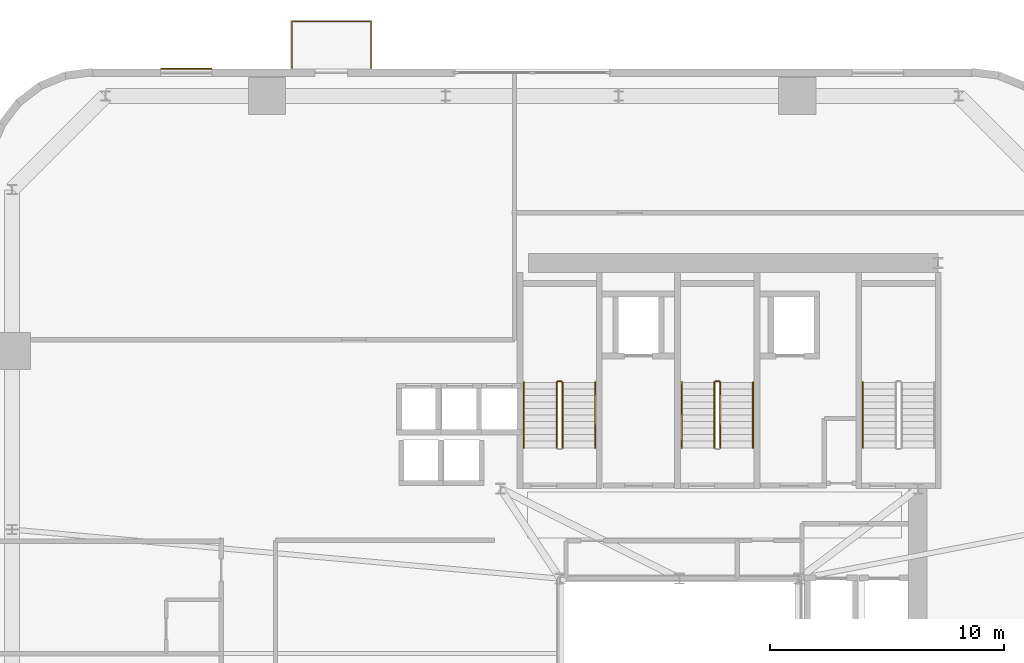
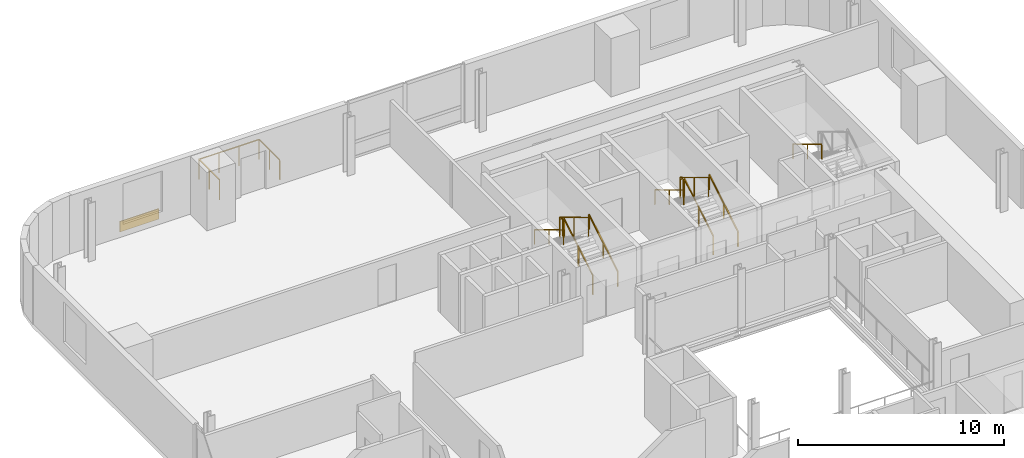
# One storey, part 13 of 14: 12 railings, 1 covering.
"""IFC4 building model written with IfcOpenShell, lengths in metres."""

from ifc_helpers import new_model, si_unit, direction, frame, origin, origin_2d, place, context, subcontext, project, spatial, rectangle, extrude, source, transform, mapped, material, layer, layer_set, type_object, element, save


model = new_model("IFC4")

# Units and contexts
model_context = context("Model", 3, precision=1e-05, world=origin(), true_north=direction((0.0, 1.0)))
body_context = subcontext(model_context, "Body", "Model", "MODEL_VIEW")
ifc_project = project(units=[si_unit("LENGTHUNIT", "METRE"), si_unit("AREAUNIT", "SQUARE_METRE"), si_unit("VOLUMEUNIT", "CUBIC_METRE"), si_unit("PLANEANGLEUNIT", "RADIAN"), si_unit("MASSUNIT", "GRAM", prefix="KILO")], contexts=[model_context])

# Site, building, storey
site_placement = place(None, origin())
site = spatial("IfcSite", under=ifc_project, at=site_placement, CompositionType="ELEMENT")
building_placement = place(site_placement, origin())
building = spatial("IfcBuilding", under=site, at=building_placement, Name="Vardaveli Station Tower", CompositionType="ELEMENT")
storey_placement = place(building_placement, frame((0.0, 0.0, 152.0)))
storey = spatial("IfcBuildingStorey", under=building, at=storey_placement, Name="L39", CompositionType="ELEMENT", Elevation=152.0)

# Covering
ifc_material_1 = material(Name="Ventilated honed travertine stone cladding", Category="masonry")
ifc_layer = layer(ifc_material_1, 0.044921875, Name="Ventilated honed travertine stone cladding")
ifc_layer_set = layer_set([ifc_layer], Name="Ventilated honed travertine stone cladding")
covering_type = type_object("IfcCoveringType", Name="COV-CLAD-TR45", PredefinedType="CLADDING", material=ifc_layer_set)
shared_shape_1 = source(origin(), body_context, "Body", "SweptSolid", [
    extrude(rectangle(XDim=2.199951171875, YDim=0.044921875, at=origin_2d()), origin(), (0.0, 0.0, 1.0), 0.6201171875),
])
covering_placement = place(storey_placement, frame((15.205078125, 48.614501953125, 0.06982421875), z_axis=(0.0, 0.0, 1.0), x_axis=(1.0, 0.0, 0.0)))
element("IfcCovering", 1, at=covering_placement, inside=storey, type_object=covering_type, Name="CLD-TR-L39-N", PredefinedType="CLADDING", context=body_context, shape_type="MappedRepresentation", body=[
    mapped(shared_shape_1, transform((0.0, 0.0, 0.0), scale=1.0)),
])

# Railings
ifc_material_2 = material(Name="Laminated glass and stainless steel balustrade", Category="steel")
railing_type_1 = type_object("IfcRailingType", Name="RL-BAL-1200", PredefinedType="BALUSTRADE", material=ifc_material_2)
shared_shape_2 = source(origin(), body_context, "Body", "SweptSolid", [
    extrude(rectangle(XDim=0.048095703125, YDim=0.048095703125, at=origin_2d()), frame((0.0, 0.0, 1.17578125), z_axis=(0.0, 1.0, 0.0), x_axis=(-1.0, 0.0, 0.0)), (0.0, 0.0, 1.0), 2.0),
    extrude(rectangle(XDim=0.048095703125, YDim=0.048095703125, at=origin_2d()), frame((0.0, 2.0, 1.17578125), z_axis=(1.0, 0.0, 0.0), x_axis=(0.0, 1.0, 0.0)), (0.0, 0.0, 1.0), 3.3798828125),
    extrude(rectangle(XDim=0.048095703125, YDim=0.048095703125, at=origin_2d()), frame((3.3798828125, 2.0, 1.17578125), z_axis=(0.0, -1.0, 0.0), x_axis=(1.0, 0.0, 0.0)), (0.0, 0.0, 1.0), 2.0),
    extrude(rectangle(XDim=0.0419921875, YDim=0.0419921875, at=origin_2d()), origin(), (0.0, 0.0, 1.0), 1.15185546875),
    extrude(rectangle(XDim=0.0419921875, YDim=0.0419921875, at=origin_2d()), frame((0.0, 1.0, 0.0)), (0.0, 0.0, 1.0), 1.15185546875),
    extrude(rectangle(XDim=0.0419921875, YDim=0.0419921875, at=origin_2d()), frame((0.0, 2.0, 0.0)), (0.0, 0.0, 1.0), 1.15185546875),
    extrude(rectangle(XDim=0.0419921875, YDim=0.0419921875, at=origin_2d()), frame((1.126708984375, 2.0, 0.0)), (0.0, 0.0, 1.0), 1.15185546875),
    extrude(rectangle(XDim=0.0419921875, YDim=0.0419921875, at=origin_2d()), frame((2.253173828125, 2.0, 0.0)), (0.0, 0.0, 1.0), 1.15185546875),
    extrude(rectangle(XDim=0.0419921875, YDim=0.0419921875, at=origin_2d()), frame((3.3798828125, 2.0, 0.0)), (0.0, 0.0, 1.0), 1.15185546875),
    extrude(rectangle(XDim=0.0419921875, YDim=0.0419921875, at=origin_2d()), frame((3.3798828125, 1.0, 0.0)), (0.0, 0.0, 1.0), 1.15185546875),
    extrude(rectangle(XDim=0.0419921875, YDim=0.0419921875, at=origin_2d()), frame((3.3798828125, 0.0, 0.0)), (0.0, 0.0, 1.0), 1.15185546875),
])
railing_placement = place(storey_placement, frame((19.720458984375, 48.639892578125, 0.0)))
element("IfcRailing", 2, at=railing_placement, inside=storey, type_object=railing_type_1, Name="RL-LOG-L39-02", PredefinedType="BALUSTRADE", context=body_context, shape_type="MappedRepresentation", body=[
    mapped(shared_shape_2, transform((0.0, 0.0, 0.0), scale=1.0)),
])
ifc_material_3 = material(Name="Brushed AISI 316 stainless steel", Category="steel")
railing_type_2 = type_object("IfcRailingType", Name="RL-GUARD-1150", PredefinedType="GUARDRAIL", material=ifc_material_3)
shared_shape_3 = source(origin(), body_context, "Body", "SweptSolid", [
    extrude(rectangle(XDim=0.048095703125, YDim=0.048095703125, at=origin_2d()), frame((0.0, 0.0, 1.1259765625), z_axis=(-1.0, 0.0, 0.0), x_axis=(0.0, -1.0, 0.0)), (0.0, 0.0, 1.0), 0.14990234375),
    extrude(rectangle(XDim=0.0419921875, YDim=0.0419921875, at=origin_2d()), origin(), (0.0, 0.0, 1.0), 1.101806640625),
    extrude(rectangle(XDim=0.0419921875, YDim=0.0419921875, at=origin_2d()), frame((-0.14990234375, 0.0, 0.0)), (0.0, 0.0, 1.0), 1.101806640625),
])
for number, where, name in (
    (3, (31.25, 35.25, 1.85009765625), "L39 ST-1 stair guard 2"),
    (4, (38.0, 35.25, 1.85009765625), "L39 ST-2 stair guard 2"),
):
    element("IfcRailing", number, at=place(storey_placement, frame(where)), inside=storey, type_object=railing_type_2, Name=name, PredefinedType="GUARDRAIL", context=body_context, shape_type="MappedRepresentation", body=[
        mapped(shared_shape_3, transform((0.0, 0.0, 0.0), scale=1.0)),
    ])
shared_shape_4 = source(origin(), body_context, "Body", "SweptSolid", [
    extrude(rectangle(XDim=0.048095703125, YDim=0.048095703125, at=origin_2d()), frame((0.0, 0.0, 1.1259765625), z_axis=(0.0, -0.857242210791, 0.514913383045), x_axis=(1.0, 0.0, 0.0)), (0.0, 0.0, 1.0), 3.266357421875),
    extrude(rectangle(XDim=0.0419921875, YDim=0.0419921875, at=origin_2d()), origin(), (0.0, 0.0, 1.0), 1.101806640625),
    extrude(rectangle(XDim=0.0419921875, YDim=0.0419921875, at=origin_2d()), frame((0.0, -1.39990234375, 0.8408203125)), (0.0, 0.0, 1.0), 1.101806640625),
    extrude(rectangle(XDim=0.0419921875, YDim=0.0419921875, at=origin_2d()), frame((0.0, -2.800048828125, 1.681884765625)), (0.0, 0.0, 1.0), 1.101806640625),
])
for number, where, name in (
    (5, (31.050048828125, 35.199951171875, 2.01806640625), "L39 ST-1 stair guard 3"),
    (6, (37.800048828125, 35.199951171875, 2.01806640625), "L39 ST-2 stair guard 3"),
):
    element("IfcRailing", number, at=place(storey_placement, frame(where)), inside=storey, type_object=railing_type_2, Name=name, PredefinedType="GUARDRAIL", context=body_context, shape_type="MappedRepresentation", body=[
        mapped(shared_shape_4, transform((0.0, 0.0, 0.0), scale=1.0)),
    ])
railing_type_3 = type_object("IfcRailingType", Name="RL-HAND-900", PredefinedType="HANDRAIL", material=ifc_material_3)
shared_shape_5 = source(origin(), body_context, "Body", "SweptSolid", [
    extrude(rectangle(XDim=0.048095703125, YDim=0.048095703125, at=origin_2d()), frame((0.0, 0.0, 0.8759765625), z_axis=(0.0, -0.857242210791, 0.514913383045), x_axis=(1.0, 0.0, 0.0)), (0.0, 0.0, 1.0), 3.266357421875),
    extrude(rectangle(XDim=0.0419921875, YDim=0.0419921875, at=origin_2d()), origin(), (0.0, 0.0, 1.0), 0.851806640625),
    extrude(rectangle(XDim=0.0419921875, YDim=0.0419921875, at=origin_2d()), frame((0.0, -1.39990234375, 0.8408203125)), (0.0, 0.0, 1.0), 0.851806640625),
    extrude(rectangle(XDim=0.0419921875, YDim=0.0419921875, at=origin_2d()), frame((0.0, -2.800048828125, 1.681884765625)), (0.0, 0.0, 1.0), 0.851806640625),
])
for number, where, name in (
    (7, (29.64990234375, 35.199951171875, 2.01806640625), "L39 ST-1 stair handrail 2"),
    (8, (36.39990234375, 35.199951171875, 2.01806640625), "L39 ST-2 stair handrail 2"),
    (9, (44.14990234375, 35.199951171875, 2.01806640625), "L39 ST-3 stair handrail 2"),
):
    element("IfcRailing", number, at=place(storey_placement, frame(where)), inside=storey, type_object=railing_type_3, Name=name, PredefinedType="HANDRAIL", context=body_context, shape_type="MappedRepresentation", body=[
        mapped(shared_shape_5, transform((0.0, 0.0, 0.0), scale=1.0)),
    ])
shared_shape_6 = source(origin(), body_context, "Body", "SweptSolid", [
    extrude(rectangle(XDim=0.048095703125, YDim=0.048095703125, at=origin_2d()), frame((0.0, 0.0, 1.1259765625), z_axis=(0.0, 0.857242210791, 0.514913383045), x_axis=(-1.0, 0.0, 0.0)), (0.0, 0.0, 1.0), 3.266357421875),
    extrude(rectangle(XDim=0.0419921875, YDim=0.0419921875, at=origin_2d()), origin(), (0.0, 0.0, 1.0), 1.101806640625),
    extrude(rectangle(XDim=0.0419921875, YDim=0.0419921875, at=origin_2d()), frame((0.0, 1.39990234375, 0.8408203125)), (0.0, 0.0, 1.0), 1.101806640625),
    extrude(rectangle(XDim=0.0419921875, YDim=0.0419921875, at=origin_2d()), frame((0.0, 2.800048828125, 1.681884765625)), (0.0, 0.0, 1.0), 1.101806640625),
])
for number, where, name in (
    (10, (31.300048828125, 32.39990234375, 0.168212890625), "L39 ST-1 stair guard 1"),
    (11, (38.050048828125, 32.39990234375, 0.168212890625), "L39 ST-2 stair guard 1"),
):
    element("IfcRailing", number, at=place(storey_placement, frame(where)), inside=storey, type_object=railing_type_2, Name=name, PredefinedType="GUARDRAIL", context=body_context, shape_type="MappedRepresentation", body=[
        mapped(shared_shape_6, transform((0.0, 0.0, 0.0), scale=1.0)),
    ])
shared_shape_7 = source(origin(), body_context, "Body", "SweptSolid", [
    extrude(rectangle(XDim=0.048095703125, YDim=0.048095703125, at=origin_2d()), frame((0.0, 0.0, 0.8759765625), z_axis=(0.0, 0.857242210791, 0.514913383045), x_axis=(-1.0, 0.0, 0.0)), (0.0, 0.0, 1.0), 3.266357421875),
    extrude(rectangle(XDim=0.0419921875, YDim=0.0419921875, at=origin_2d()), origin(), (0.0, 0.0, 1.0), 0.851806640625),
    extrude(rectangle(XDim=0.0419921875, YDim=0.0419921875, at=origin_2d()), frame((0.0, 1.39990234375, 0.8408203125)), (0.0, 0.0, 1.0), 0.851806640625),
    extrude(rectangle(XDim=0.0419921875, YDim=0.0419921875, at=origin_2d()), frame((0.0, 2.800048828125, 1.681884765625)), (0.0, 0.0, 1.0), 0.851806640625),
])
for number, where, name in (
    (12, (32.699951171875, 32.39990234375, 0.168212890625), "L39 ST-1 stair handrail 1"),
    (13, (39.449951171875, 32.39990234375, 0.168212890625), "L39 ST-2 stair handrail 1"),
):
    element("IfcRailing", number, at=place(storey_placement, frame(where)), inside=storey, type_object=railing_type_3, Name=name, PredefinedType="HANDRAIL", context=body_context, shape_type="MappedRepresentation", body=[
        mapped(shared_shape_7, transform((0.0, 0.0, 0.0), scale=1.0)),
    ])

save(model, "model.ifc")
